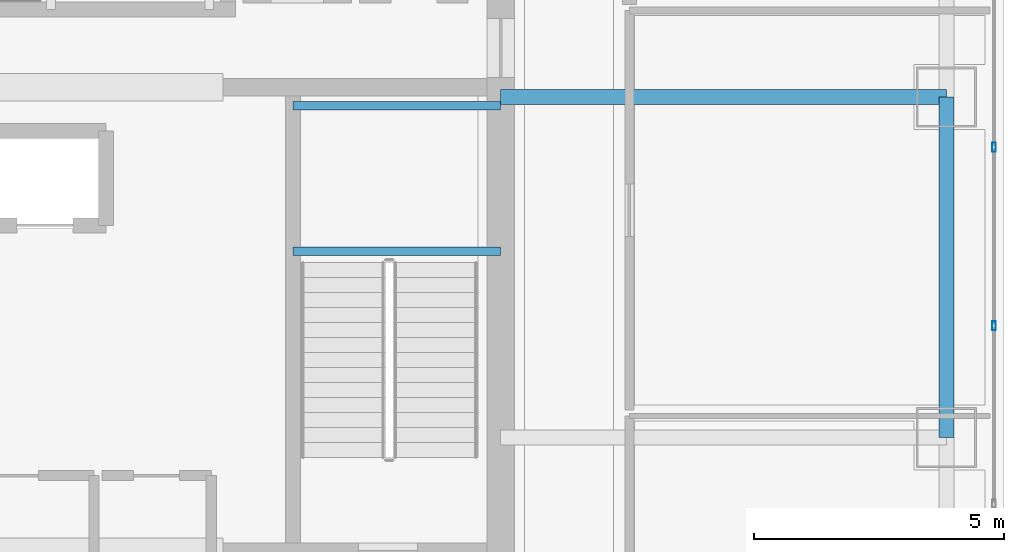
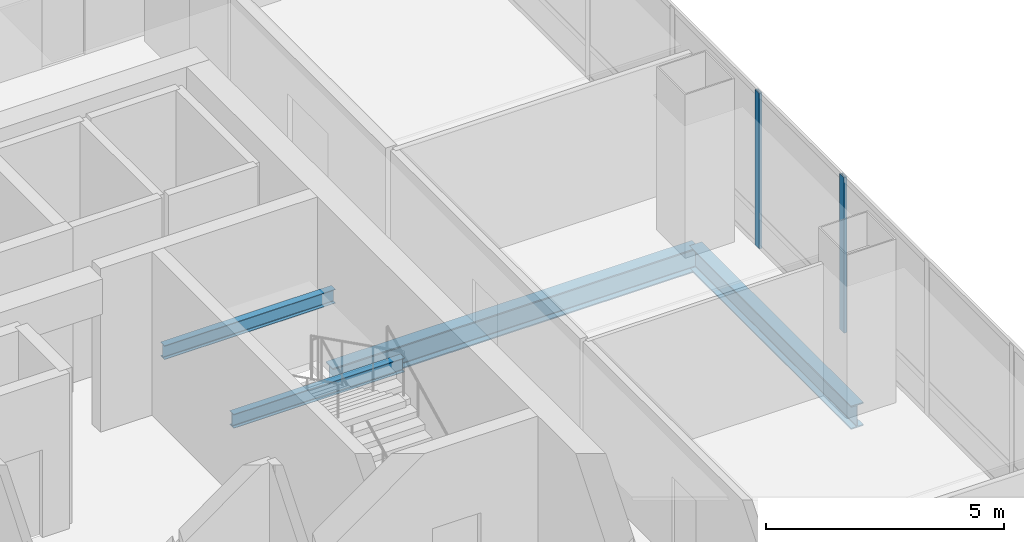
# One storey, part 18 of 41: 4 beams, 2 members, 1 element without a shape of its own.
"""IFC4 building model written with IfcOpenShell, lengths in metres."""

from ifc_helpers import new_model, si_unit, direction, frame, origin, origin_2d, place, context, subcontext, project, spatial, hollow_rectangle, i_section, extrude, material, material_profile, profile_set, type_object, element, aggregate, save


model = new_model("IFC4")

# Units and contexts
model_context = context("Model", 3, precision=1e-05, world=origin(), true_north=direction((0.0, 1.0)))
body_context = subcontext(model_context, "Body", "Model", "MODEL_VIEW")
ifc_project = project(units=[si_unit("LENGTHUNIT", "METRE"), si_unit("AREAUNIT", "SQUARE_METRE"), si_unit("VOLUMEUNIT", "CUBIC_METRE"), si_unit("PLANEANGLEUNIT", "RADIAN"), si_unit("MASSUNIT", "GRAM", prefix="KILO")], contexts=[model_context])

# Site, building, storey
site_placement = place(None, origin())
site = spatial("IfcSite", under=ifc_project, at=site_placement, CompositionType="ELEMENT")
building_placement = place(site_placement, origin())
building = spatial("IfcBuilding", under=site, at=building_placement, Name="Punatoya Terracotta Tower", CompositionType="ELEMENT")
storey_placement = place(building_placement, frame((0.0, 0.0, 292.199951171875)))
storey = spatial("IfcBuildingStorey", under=building, at=storey_placement, Name="L69", CompositionType="ELEMENT", Elevation=292.199951171875)

# Beams
ifc_material_1 = material(Name="Steel S355", Category="steel")
ifc_material_profile_1 = material_profile(ifc_material_1, i_section(OverallWidth=0.300048828125, OverallDepth=0.60009765625, WebThickness=0.015380859375, FlangeThickness=0.030029296875, FilletRadius=0.01806640625, at=origin_2d()))
ifc_profile_set_1 = profile_set([ifc_material_profile_1], Name="Steel S355")
beam_type_1 = type_object("IfcBeamType", Name="BM-PRI-600", PredefinedType="BEAM", material=ifc_profile_set_1)
beam_1_placement = place(storey_placement, frame((19.10009765625, -3.39990234375, -0.5), z_axis=(0.0, 1.0, 0.0), x_axis=(-1.0, 0.0, 0.0)))
element("IfcBeam", 1, at=beam_1_placement, inside=storey, type_object=beam_type_1, Name="BM-L69-RG-E2", PredefinedType="BEAM", context=body_context, shape_type="SweptSolid", body=[
    extrude(i_section(OverallWidth=0.300048828125, OverallDepth=0.60009765625, WebThickness=0.015380859375, FlangeThickness=0.030029296875, FilletRadius=0.01806640625, at=origin_2d()), origin(), (0.0, 0.0, 1.0), 6.7998046875),
])
beam_2_placement = place(storey_placement, frame((10.199951171875, 3.39990234375, -0.5), z_axis=(1.0, 0.0, 0.0), x_axis=(0.0, 1.0, 0.0)))
element("IfcBeam", 2, at=beam_2_placement, inside=storey, type_object=beam_type_1, Name="BM-L69-PR-EE", PredefinedType="BEAM", context=body_context, shape_type="SweptSolid", body=[
    extrude(i_section(OverallWidth=0.300048828125, OverallDepth=0.60009765625, WebThickness=0.015380859375, FlangeThickness=0.030029296875, FilletRadius=0.01806640625, at=origin_2d()), origin(), (0.0, 0.0, 1.0), 8.900146484375),
])
ifc_material_profile_2 = material_profile(ifc_material_1, i_section(OverallWidth=0.169921875, OverallDepth=0.360107421875, WebThickness=0.008056640625, FlangeThickness=0.0126953125, FilletRadius=0.01806640625, at=origin_2d()))
ifc_profile_set_2 = profile_set([ifc_material_profile_2], Name="Steel S355")
beam_type_2 = type_object("IfcBeamType", Name="BM-SEC-360", PredefinedType="JOIST", material=ifc_profile_set_2)
for number, where, z_axis, x_axis, name in (
    (3, (6.050048828125, 0.320068359375, 1.719970703125), (1.0, 0.0, 0.0), (0.0, 1.0, 0.0), "BM-L69-ST-2-LD1A"),
    (4, (6.050048828125, 3.22998046875, 1.719970703125), (1.0, 0.0, 0.0), (0.0, 1.0, 0.0), "BM-L69-ST-2-LD1B"),
):
    element("IfcBeam", number, at=place(storey_placement, frame(where, z_axis=z_axis, x_axis=x_axis)), inside=storey, type_object=beam_type_2, Name=name, PredefinedType="JOIST", context=body_context, shape_type="SweptSolid", body=[
        extrude(i_section(OverallWidth=0.169921875, OverallDepth=0.360107421875, WebThickness=0.008056640625, FlangeThickness=0.0126953125, FilletRadius=0.01806640625, at=origin_2d()), origin(), (0.0, 0.0, 1.0), 4.14990234375),
    ])

# Curtain wall, members
ifc_material_2 = material(Name="Aluminium 6063-T6 + Double Low-E Glass", Category="aluminium")
curtain_wall_type = type_object("IfcCurtainWallType", Name="CW-M3", PredefinedType="NOTDEFINED", material=ifc_material_2)
curtain_wall_placement = place(storey_placement, origin())
curtain_wall = element("IfcCurtainWall", 5, at=curtain_wall_placement, inside=storey, type_object=curtain_wall_type, Name="L69 Curtain Wall CW-L69-E05-1", PredefinedType="NOTDEFINED")
ifc_material_3 = material(Name="Aluminium 6063-T6", Category="aluminium")
ifc_material_profile_3 = material_profile(ifc_material_3, hollow_rectangle(XDim=0.070068359375, YDim=0.179931640625, WallThickness=0.00390625, at=origin_2d()))
ifc_profile_set_3 = profile_set([ifc_material_profile_3], Name="Aluminium 6063-T6")
member_type = type_object("IfcMemberType", Name="CW-MUL-M3", PredefinedType="MULLION", material=ifc_profile_set_3)
member_1_placement = place(storey_placement, frame((20.050048828125, -1.16748046875, 0.0), z_axis=(0.0, 0.0, 1.0), x_axis=(1.0, 0.0, 0.0)))
member_1 = element("IfcMember", 6, at=member_1_placement, type_object=member_type, Name="CW-L69-E05-1 Mullion 04", PredefinedType="MULLION", context=body_context, shape_type="SweptSolid", body=[
    extrude(hollow_rectangle(XDim=0.070068359375, YDim=0.179931640625, WallThickness=0.00390625, at=origin_2d()), origin(), (0.0, 0.0, 1.0), 4.0),
])
member_2_placement = place(storey_placement, frame((20.050048828125, 2.39990234375, 0.0), z_axis=(0.0, 0.0, 1.0), x_axis=(1.0, 0.0, 0.0)))
member_2 = element("IfcMember", 7, at=member_2_placement, type_object=member_type, Name="CW-L69-E05-1 Mullion 05", PredefinedType="MULLION", context=body_context, shape_type="SweptSolid", body=[
    extrude(hollow_rectangle(XDim=0.070068359375, YDim=0.179931640625, WallThickness=0.00390625, at=origin_2d()), origin(), (0.0, 0.0, 1.0), 4.0),
])
aggregate(curtain_wall, [member_1, member_2])

save(model, "model.ifc")
